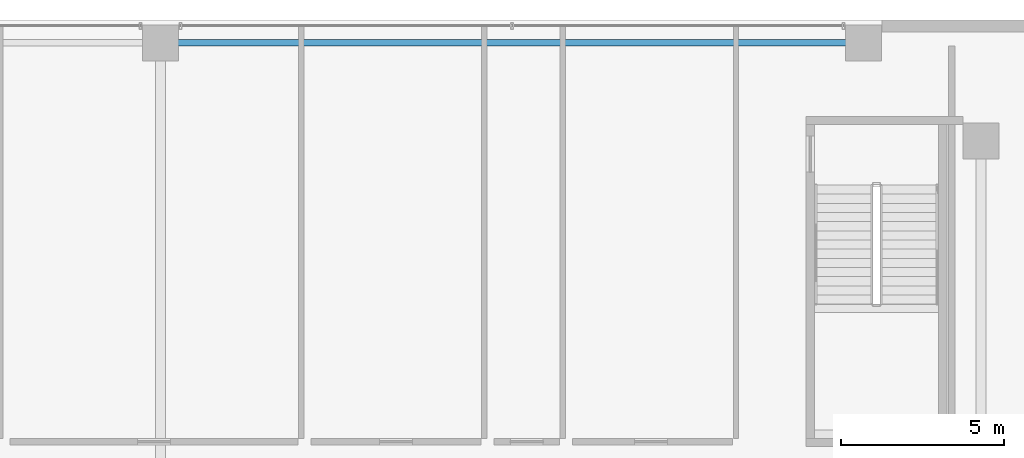
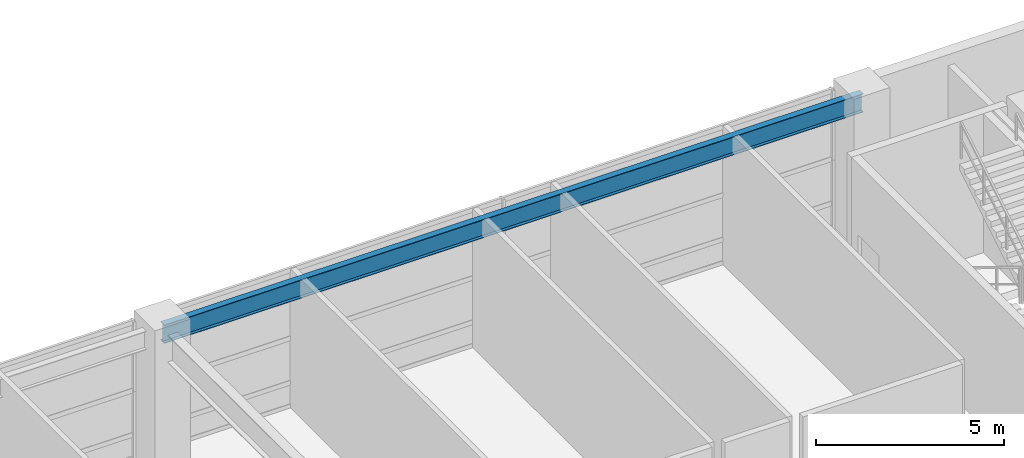
# One storey, part 24 of 39: 1 beam.
"""IFC4 building model written with IfcOpenShell, lengths in metres."""

from ifc_helpers import new_model, si_unit, direction, frame, origin, origin_2d, place, context, subcontext, project, spatial, i_section, extrude, source, transform, mapped, material, material_profile, profile_set, type_object, element, save


model = new_model("IFC4")

# Units and contexts
model_context = context("Model", 3, precision=1e-05, world=origin(), true_north=direction((0.0, 1.0)))
body_context = subcontext(model_context, "Body", "Model", "MODEL_VIEW")
ifc_project = project(units=[si_unit("LENGTHUNIT", "METRE"), si_unit("AREAUNIT", "SQUARE_METRE"), si_unit("VOLUMEUNIT", "CUBIC_METRE"), si_unit("PLANEANGLEUNIT", "RADIAN"), si_unit("MASSUNIT", "GRAM", prefix="KILO"), si_unit("THERMODYNAMICTEMPERATUREUNIT", "KELVIN"), si_unit("POWERUNIT", "WATT")], contexts=[model_context])

# Site, building, storey
site_placement = place(None, origin())
site = spatial("IfcSite", under=ifc_project, at=site_placement, CompositionType="ELEMENT")
building_placement = place(site_placement, origin())
building = spatial("IfcBuilding", under=site, at=building_placement, Name="Yuzanri Waterfront Tower", CompositionType="ELEMENT")
storey_placement = place(building_placement, frame((0.0, 0.0, 15.0)))
storey = spatial("IfcBuildingStorey", under=building, at=storey_placement, Name="L04", CompositionType="ELEMENT", Elevation=15.0)

# Beam
ifc_material = material(Name="Steel Q355B", Category="steel")
ifc_material_profile = material_profile(ifc_material, i_section(OverallWidth=0.199951171875, OverallDepth=0.60009765625, WebThickness=0.010986328125, FlangeThickness=0.01708984375, at=origin_2d()), Name="HN 600x200x11x17")
ifc_profile_set = profile_set([ifc_material_profile], Name="Steel Q355B")
beam_type = type_object("IfcBeamType", Name="Perimeter Spandrel Q355B HN 600x200", PredefinedType="SPANDREL", material=ifc_profile_set)
shared_shape = source(origin(), body_context, "Body", "SweptSolid", [
    extrude(i_section(OverallWidth=0.199951171875, OverallDepth=0.60009765625, WebThickness=0.010986328125, FlangeThickness=0.01708984375, at=origin_2d()), origin(), (0.0, 0.0, 1.0), 21.5),
])
beam_placement = place(storey_placement, frame((37.0, 49.10009765625, 4.219970703125), z_axis=(1.0, 0.0, 0.0), x_axis=(0.0, 1.0, 0.0)))
element("IfcBeam", 1, at=beam_placement, inside=storey, type_object=beam_type, Name="L04 North Spandrel 2", PredefinedType="SPANDREL", context=body_context, shape_type="MappedRepresentation", body=[
    mapped(shared_shape, transform((0.0, 0.0, 0.0), scale=1.0)),
])

save(model, "model.ifc")
